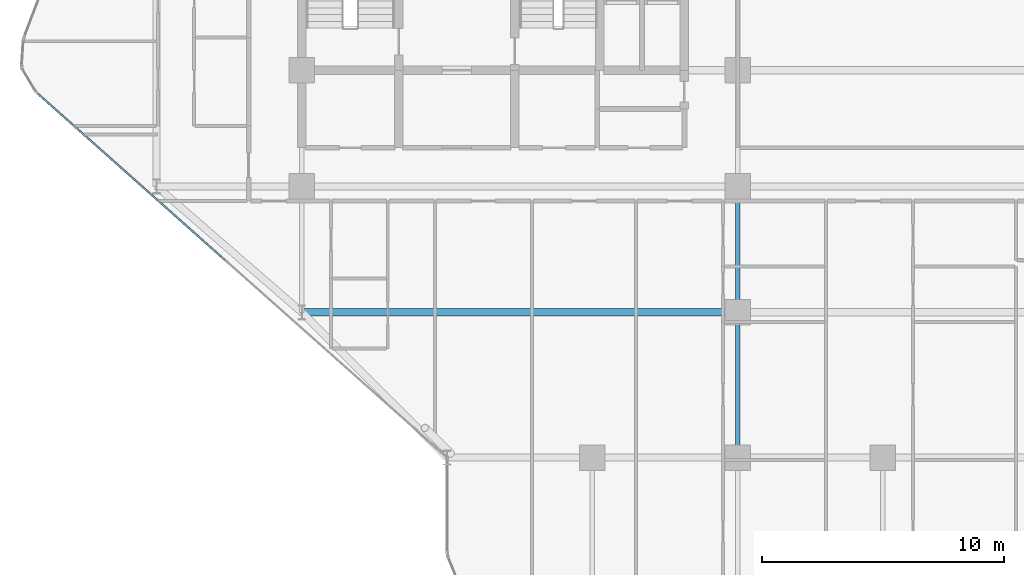
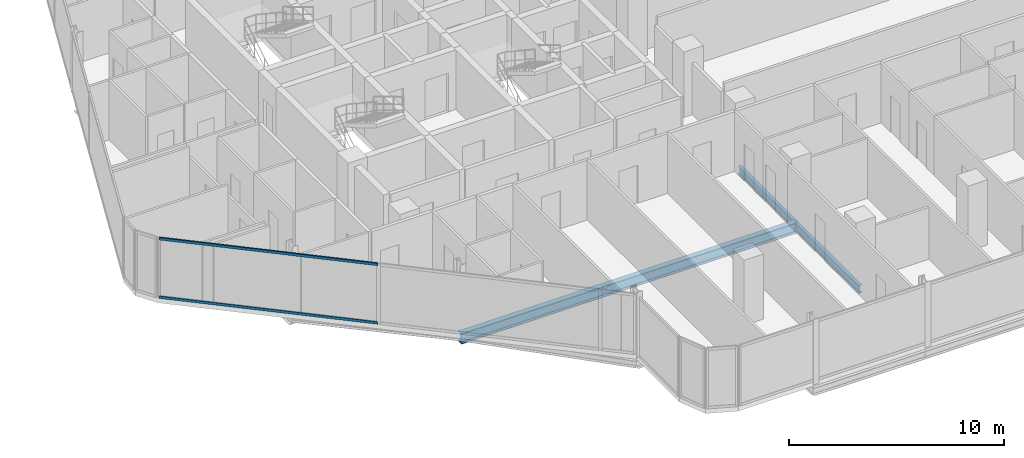
# One storey, part 5 of 30: 3 beams, 2 members, 1 element without a shape of its own.
"""IFC4 building model written with IfcOpenShell, lengths in metres."""

from ifc_helpers import new_model, si_unit, direction, frame, origin, origin_2d, place, context, subcontext, project, spatial, hollow_rectangle, i_section, extrude, material, layer, layer_set, material_profile, profile_set, type_object, element, aggregate, save


model = new_model("IFC4")

# Units and contexts
model_context = context("Model", 3, precision=1e-05, world=origin(), true_north=direction((0.0, 1.0)))
body_context = subcontext(model_context, "Body", "Model", "MODEL_VIEW")
ifc_project = project(units=[si_unit("LENGTHUNIT", "METRE"), si_unit("AREAUNIT", "SQUARE_METRE"), si_unit("VOLUMEUNIT", "CUBIC_METRE"), si_unit("PLANEANGLEUNIT", "RADIAN"), si_unit("MASSUNIT", "GRAM", prefix="KILO")], contexts=[model_context])

# Site, building, storey
site_placement = place(None, origin())
site = spatial("IfcSite", under=ifc_project, at=site_placement, CompositionType="ELEMENT")
building_placement = place(site_placement, origin())
building = spatial("IfcBuilding", under=site, at=building_placement, Name="Keshet Zoharim Tower", CompositionType="ELEMENT")
storey_placement = place(building_placement, frame((0.0, 0.0, 113.10009765625)))
storey = spatial("IfcBuildingStorey", under=building, at=storey_placement, Name="L27", CompositionType="ELEMENT", Elevation=113.10009765625)

# Beams
ifc_material_1 = material(Name="Steel S355", Category="steel")
ifc_material_profile_1 = material_profile(ifc_material_1, i_section(OverallWidth=0.300048828125, OverallDepth=0.60009765625, WebThickness=0.015380859375, FlangeThickness=0.030029296875, FilletRadius=0.027099609375, at=origin_2d()), Name="HEB600")
ifc_profile_set_1 = profile_set([ifc_material_profile_1], Name="Steel S355")
beam_type_1 = type_object("IfcBeamType", Name="BM-LNG-HB600", PredefinedType="BEAM", material=ifc_profile_set_1)
beam_1_placement = place(storey_placement, frame((15.0, 12.699951171875, -0.614990234375), z_axis=(1.0, 0.0, 0.0), x_axis=(0.0, 1.0, 0.0)))
element("IfcBeam", 1, at=beam_1_placement, inside=storey, type_object=beam_type_1, Name="L27 Primary Girder X-009", PredefinedType="BEAM", context=body_context, shape_type="SweptSolid", body=[
    extrude(i_section(OverallWidth=0.300048828125, OverallDepth=0.60009765625, WebThickness=0.015380859375, FlangeThickness=0.030029296875, FilletRadius=0.027099609375, at=origin_2d()), origin(), (0.0, 0.0, 1.0), 18.0),
])
ifc_material_profile_2 = material_profile(ifc_material_1, i_section(OverallWidth=0.18994140625, OverallDepth=0.449951171875, WebThickness=0.009521484375, FlangeThickness=0.0146484375, FilletRadius=0.02099609375, at=origin_2d()), Name="IPE450")
ifc_profile_set_2 = profile_set([ifc_material_profile_2], Name="Steel S355")
beam_type_2 = type_object("IfcBeamType", Name="BM-PRI-IP450", PredefinedType="BEAM", material=ifc_profile_set_2)
beam_2_placement = place(storey_placement, frame((33.0, 6.699951171875, -0.5400390625), z_axis=(0.0, 1.0, 0.0), x_axis=(-1.0, 0.0, 0.0)))
element("IfcBeam", 2, at=beam_2_placement, inside=storey, type_object=beam_type_2, Name="L27 Primary Girder Y-006", PredefinedType="BEAM", context=body_context, shape_type="SweptSolid", body=[
    extrude(i_section(OverallWidth=0.18994140625, OverallDepth=0.449951171875, WebThickness=0.009521484375, FlangeThickness=0.0146484375, FilletRadius=0.02099609375, at=origin_2d()), origin(), (0.0, 0.0, 1.0), 6.0),
])
beam_3_placement = place(storey_placement, frame((33.0, 12.699951171875, -0.5400390625), z_axis=(0.0, 1.0, 0.0), x_axis=(-1.0, 0.0, 0.0)))
element("IfcBeam", 3, at=beam_3_placement, inside=storey, type_object=beam_type_2, Name="L27 Primary Girder Y-007", PredefinedType="BEAM", context=body_context, shape_type="SweptSolid", body=[
    extrude(i_section(OverallWidth=0.18994140625, OverallDepth=0.449951171875, WebThickness=0.009521484375, FlangeThickness=0.0146484375, FilletRadius=0.02099609375, at=origin_2d()), origin(), (0.0, 0.0, 1.0), 5.199951171875),
])

# Curtain wall, members
ifc_material_2 = material(Name="Aluminium 6063-T6", Category="aluminium")
ifc_layer = layer(ifc_material_2, 0.159912109375)
ifc_layer_set = layer_set([ifc_layer], Name="Aluminium 6063-T6")
curtain_wall_type = type_object("IfcCurtainWallType", Name="CW-SYS-03", PredefinedType="NOTDEFINED", material=ifc_layer_set)
curtain_wall_placement = place(storey_placement, origin())
curtain_wall = element("IfcCurtainWall", 4, at=curtain_wall_placement, inside=storey, type_object=curtain_wall_type, Name="L27 Unitised Curtain Wall 07 Part 2", PredefinedType="NOTDEFINED")
ifc_material_profile_3 = material_profile(ifc_material_2, hollow_rectangle(XDim=0.080078125, YDim=0.139892578125, WallThickness=0.00390625, at=origin_2d()), Name="TRN-80x140")
ifc_profile_set_3 = profile_set([ifc_material_profile_3], Name="Aluminium 6063-T6")
member_type = type_object("IfcMemberType", Name="CWT-T14", PredefinedType="USERDEFINED", material=ifc_profile_set_3)
member_1_placement = place(storey_placement, frame((11.8388671875, 14.84326171875, 0.034912109375), z_axis=(-0.747411916254, 0.664360916552, 0.0), x_axis=(-0.664360916552, -0.747411916254, 0.0)))
member_1 = element("IfcMember", 5, at=member_1_placement, type_object=member_type, Name="CW-03 transom 2.1", ObjectType="TRANSOM", PredefinedType="USERDEFINED", context=body_context, shape_type="SweptSolid", body=[
    extrude(hollow_rectangle(XDim=0.080078125, YDim=0.139892578125, WallThickness=0.00390625, at=origin_2d()), origin(), (0.0, 0.0, 1.0), 10.37109375),
])
member_2_placement = place(storey_placement, frame((11.8388671875, 14.84326171875, 3.349853515625), z_axis=(-0.747411916254, 0.664360916552, 0.0), x_axis=(-0.664360916552, -0.747411916254, 0.0)))
member_2 = element("IfcMember", 6, at=member_2_placement, type_object=member_type, Name="CW-03 transom 2.2", ObjectType="TRANSOM", PredefinedType="USERDEFINED", context=body_context, shape_type="SweptSolid", body=[
    extrude(hollow_rectangle(XDim=0.080078125, YDim=0.139892578125, WallThickness=0.00390625, at=origin_2d()), origin(), (0.0, 0.0, 1.0), 10.37109375),
])
aggregate(curtain_wall, [member_1, member_2])

save(model, "model.ifc")
